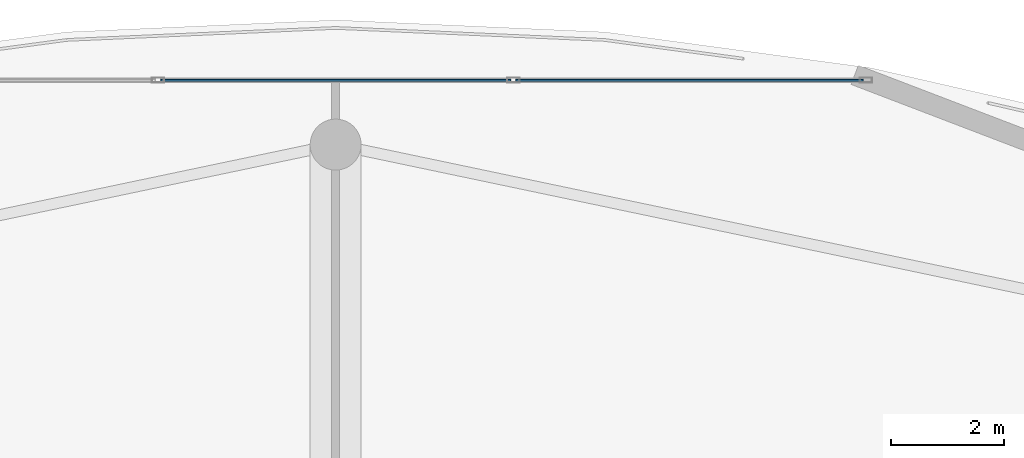
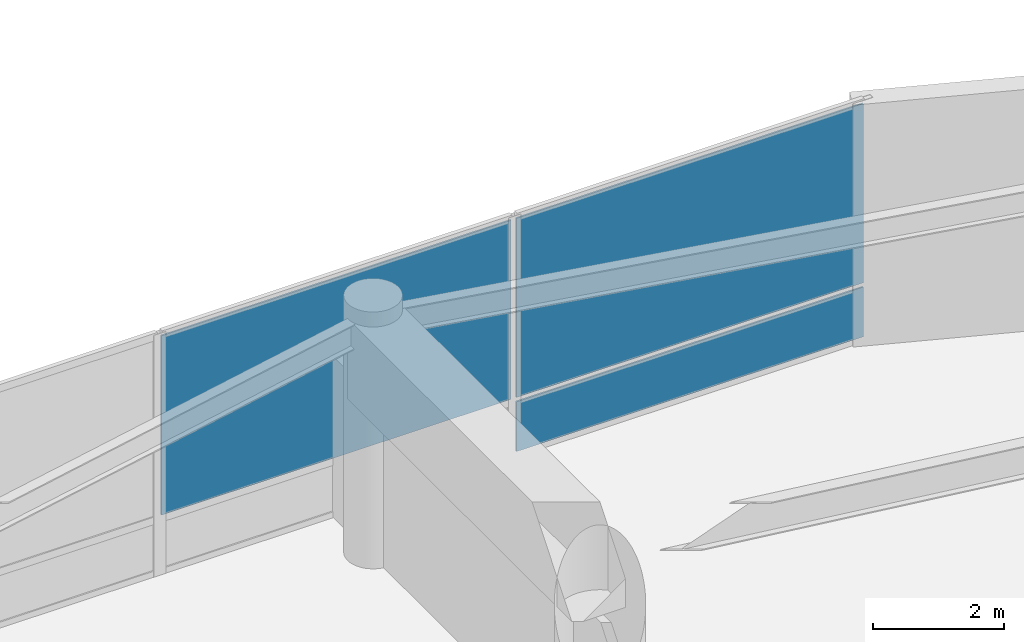
# One storey, part 25 of 36: 3 plates, 1 element without a shape of its own.
"""IFC4 building model written with IfcOpenShell, lengths in metres."""

from ifc_helpers import new_model, si_unit, direction, frame, origin, origin_2d, place, context, subcontext, project, spatial, rectangle, extrude, material, layer, layer_set, type_object, element, aggregate, save


model = new_model("IFC4")

# Units and contexts
model_context = context("Model", 3, precision=1e-05, world=origin(), true_north=direction((0.0, 1.0)))
body_context = subcontext(model_context, "Body", "Model", "MODEL_VIEW")
ifc_project = project(units=[si_unit("LENGTHUNIT", "METRE"), si_unit("AREAUNIT", "SQUARE_METRE"), si_unit("VOLUMEUNIT", "CUBIC_METRE"), si_unit("PLANEANGLEUNIT", "RADIAN"), si_unit("MASSUNIT", "GRAM", prefix="KILO")], contexts=[model_context])

# Site, building, storey
site_placement = place(None, origin())
site = spatial("IfcSite", under=ifc_project, at=site_placement, CompositionType="ELEMENT")
building_placement = place(site_placement, origin())
building = spatial("IfcBuilding", under=site, at=building_placement, Name="Kazevale Care Tower and Concert Hall", CompositionType="ELEMENT")
storey_placement = place(building_placement, frame((0.0, 0.0, 14.39990234375)))
storey = spatial("IfcBuildingStorey", under=building, at=storey_placement, Name="L03", CompositionType="ELEMENT", Elevation=14.39990234375)

# Curtain wall, plates
ifc_material_1 = material(Name="Aluminium 6063-T6 and Low-E Glass", Category="aluminium")
ifc_layer_1 = layer(ifc_material_1, 0.179931640625)
ifc_layer_set_1 = layer_set([ifc_layer_1], Name="Aluminium 6063-T6 and Low-E Glass")
curtain_wall_type = type_object("IfcCurtainWallType", Name="Podium Double-Skin Medical Curtain Wall CW-1", PredefinedType="NOTDEFINED", material=ifc_layer_set_1)
curtain_wall_placement = place(storey_placement, origin())
curtain_wall = element("IfcCurtainWall", 1, at=curtain_wall_placement, inside=storey, type_object=curtain_wall_type, Name="cw:L03:pod:04", PredefinedType="NOTDEFINED")
ifc_material_2 = material(Name="Low-E Laminated Glass", Category="glass")
ifc_layer_2 = layer(ifc_material_2, 0.030029296875)
ifc_layer_set_2 = layer_set([ifc_layer_2], Name="Low-E Laminated Glass")
plate_type = type_object("IfcPlateType", Name="CW-1 Low-E Glazing Panel 30mm", PredefinedType="CURTAIN_PANEL", material=ifc_layer_set_2)
plate_1_placement = place(storey_placement, frame((51.24951171875, 70.738037109375, 0.080078125), z_axis=(0.0, 0.0, 1.0), x_axis=(-1.0, 0.0, 0.0)))
plate_1 = element("IfcPlate", 2, at=plate_1_placement, type_object=plate_type, Name="CW-1 panel 1.1", PredefinedType="CURTAIN_PANEL", context=body_context, shape_type="SweptSolid", body=[
    extrude(rectangle(XDim=6.136962890625, YDim=0.030029296875, at=origin_2d()), origin(), (0.0, 0.0, 1.0), 0.929931640625),
])
plate_2_placement = place(storey_placement, frame((51.24951171875, 70.738037109375, 1.090087890625), z_axis=(0.0, 0.0, 1.0), x_axis=(-1.0, 0.0, 0.0)))
plate_2 = element("IfcPlate", 3, at=plate_2_placement, type_object=plate_type, Name="CW-1 panel 1.2", PredefinedType="CURTAIN_PANEL", context=body_context, shape_type="SweptSolid", body=[
    extrude(rectangle(XDim=6.136962890625, YDim=0.030029296875, at=origin_2d()), origin(), (0.0, 0.0, 1.0), 3.35009765625),
])
plate_3_placement = place(storey_placement, frame((45.0, 70.738037109375, 1.090087890625), z_axis=(0.0, 0.0, 1.0), x_axis=(-1.0, 0.0, 0.0)))
plate_3 = element("IfcPlate", 4, at=plate_3_placement, type_object=plate_type, Name="CW-1 panel 2.2", PredefinedType="CURTAIN_PANEL", context=body_context, shape_type="SweptSolid", body=[
    extrude(rectangle(XDim=6.181884765625, YDim=0.030029296875, at=origin_2d()), origin(), (0.0, 0.0, 1.0), 3.35009765625),
])
aggregate(curtain_wall, [plate_1, plate_2, plate_3])

save(model, "model.ifc")
